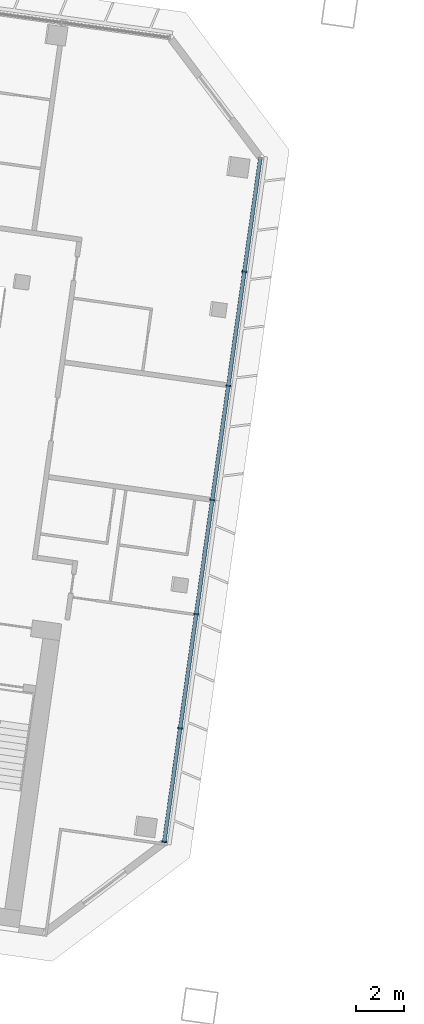
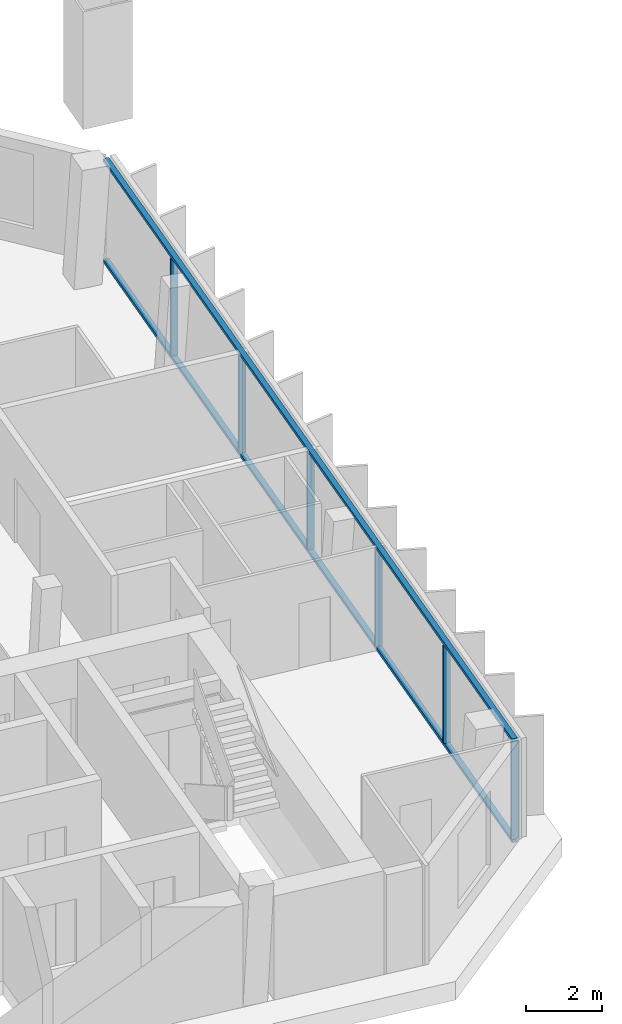
# One storey, part 3 of 23: 8 members, 1 element without a shape of its own.
"""IFC4 building model written with IfcOpenShell, lengths in metres."""

from ifc_helpers import new_model, si_unit, direction, frame, origin, origin_2d, place, context, subcontext, project, spatial, rectangle, extrude, material, material_profile, profile_set, type_object, element, aggregate, save


model = new_model("IFC4")

# Units and contexts
model_context = context("Model", 3, precision=1e-05, world=origin(), true_north=direction((0.0, 1.0)))
body_context = subcontext(model_context, "Body", "Model", "MODEL_VIEW")
ifc_project = project(units=[si_unit("LENGTHUNIT", "METRE"), si_unit("AREAUNIT", "SQUARE_METRE"), si_unit("VOLUMEUNIT", "CUBIC_METRE"), si_unit("PLANEANGLEUNIT", "RADIAN"), si_unit("MASSUNIT", "GRAM", prefix="KILO")], contexts=[model_context])

# Site, building, storey
site_placement = place(None, origin())
site = spatial("IfcSite", under=ifc_project, at=site_placement, CompositionType="ELEMENT")
building_placement = place(site_placement, origin())
building = spatial("IfcBuilding", under=site, at=building_placement, Name="Mirante Cascada Hotel Towers", CompositionType="ELEMENT")
storey_placement = place(building_placement, frame((0.0, 0.0, 180.2)))
storey = spatial("IfcBuildingStorey", under=building, at=storey_placement, Name="L42", CompositionType="ELEMENT", Elevation=180.2)

# Curtain wall, members
ifc_material_1 = material(Name="Aluminium mullion and transom frame with clear laminated glass", Category="aluminium")
curtain_wall_type = type_object("IfcCurtainWallType", Name="End ribbon curtain wall ECW2", PredefinedType="NOTDEFINED", material=ifc_material_1)
curtain_wall_placement = place(storey_placement, origin())
curtain_wall = element("IfcCurtainWall", 1, at=curtain_wall_placement, inside=storey, type_object=curtain_wall_type, Name="Inner end wall T1 L42", PredefinedType="NOTDEFINED")
ifc_material_2 = material(Name="Anodised aluminium extrusion", Category="aluminium")
ifc_material_profile_1 = material_profile(ifc_material_2, rectangle(XDim=0.2, YDim=0.065, at=origin_2d()), Name="ECW2 MULLION 65x200")
ifc_profile_set_1 = profile_set([ifc_material_profile_1], Name="Anodised aluminium extrusion")
member_type_1 = type_object("IfcMemberType", Name="ECW2 mullion 65x200", PredefinedType="MULLION", material=ifc_profile_set_1)
member_1_placement = place(storey_placement, frame((-27.8702, 7.4205, 0.1), z_axis=(0.0, 0.0, 1.0), x_axis=(0.9902681, -0.1391731, 0.0)))
member_1 = element("IfcMember", 2, at=member_1_placement, type_object=member_type_1, Name="ECW2 mullion 2", PredefinedType="MULLION", context=body_context, shape_type="SweptSolid", body=[
    extrude(rectangle(XDim=0.2, YDim=0.065, at=origin_2d()), origin(), (0.0, 0.0, 1.0), 3.15),
])
member_2_placement = place(storey_placement, frame((-28.54, 2.6547, 0.1), z_axis=(0.0, 0.0, 1.0), x_axis=(0.9902681, -0.1391731, 0.0)))
member_2 = element("IfcMember", 3, at=member_2_placement, type_object=member_type_1, Name="ECW2 mullion 3", PredefinedType="MULLION", context=body_context, shape_type="SweptSolid", body=[
    extrude(rectangle(XDim=0.2, YDim=0.065, at=origin_2d()), origin(), (0.0, 0.0, 1.0), 3.15),
])
member_3_placement = place(storey_placement, frame((-29.2097, -2.1111, 0.1), z_axis=(0.0, 0.0, 1.0), x_axis=(0.9902681, -0.1391731, 0.0)))
member_3 = element("IfcMember", 4, at=member_3_placement, type_object=member_type_1, Name="ECW2 mullion 4", PredefinedType="MULLION", context=body_context, shape_type="SweptSolid", body=[
    extrude(rectangle(XDim=0.2, YDim=0.065, at=origin_2d()), origin(), (0.0, 0.0, 1.0), 3.15),
])
member_4_placement = place(storey_placement, frame((-29.8795, -6.8769, 0.1), z_axis=(0.0, 0.0, 1.0), x_axis=(0.9902681, -0.1391731, 0.0)))
member_4 = element("IfcMember", 5, at=member_4_placement, type_object=member_type_1, Name="ECW2 mullion 5", PredefinedType="MULLION", context=body_context, shape_type="SweptSolid", body=[
    extrude(rectangle(XDim=0.2, YDim=0.065, at=origin_2d()), origin(), (0.0, 0.0, 1.0), 3.15),
])
member_5_placement = place(storey_placement, frame((-30.5493, -11.6426, 0.1), z_axis=(0.0, 0.0, 1.0), x_axis=(0.9902681, -0.1391731, 0.0)))
member_5 = element("IfcMember", 6, at=member_5_placement, type_object=member_type_1, Name="ECW2 mullion 6", PredefinedType="MULLION", context=body_context, shape_type="SweptSolid", body=[
    extrude(rectangle(XDim=0.2, YDim=0.065, at=origin_2d()), origin(), (0.0, 0.0, 1.0), 3.15),
])
member_6_placement = place(storey_placement, frame((-31.2146, -16.3762, 0.1), z_axis=(0.0, 0.0, 1.0), x_axis=(0.9902681, -0.1391731, 0.0)))
member_6 = element("IfcMember", 7, at=member_6_placement, type_object=member_type_1, Name="ECW2 mullion 7", PredefinedType="MULLION", context=body_context, shape_type="SweptSolid", body=[
    extrude(rectangle(XDim=0.2, YDim=0.065, at=origin_2d()), origin(), (0.0, 0.0, 1.0), 3.15),
])
ifc_material_3 = material(Name="Anodised aluminium extrusion", Category="aluminium")
ifc_material_profile_2 = material_profile(ifc_material_3, rectangle(XDim=0.16, YDim=0.1, at=origin_2d()), Name="ECW2 TRANSOM 100x160")
ifc_profile_set_2 = profile_set([ifc_material_profile_2], Name="Anodised aluminium extrusion")
member_type_2 = type_object("IfcMemberType", Name="ECW2 transom 100x160", PredefinedType="USERDEFINED", material=ifc_profile_set_2)
member_7_placement = place(storey_placement, frame((-27.2004, 12.1863, 0.05), z_axis=(-0.1391723, -0.9902682, 0.0), x_axis=(0.9902682, -0.1391723, 0.0)))
member_7 = element("IfcMember", 8, at=member_7_placement, type_object=member_type_2, Name="ECW2 sill transom", ObjectType="TRANSOM", PredefinedType="USERDEFINED", context=body_context, shape_type="SweptSolid", body=[
    extrude(rectangle(XDim=0.16, YDim=0.1, at=origin_2d()), origin(), (0.0, 0.0, 1.0), 28.8757),
])
member_8_placement = place(storey_placement, frame((-27.2004, 12.1863, 3.3), z_axis=(-0.1391723, -0.9902682, 0.0), x_axis=(0.9902682, -0.1391723, 0.0)))
member_8 = element("IfcMember", 9, at=member_8_placement, type_object=member_type_2, Name="ECW2 head transom", ObjectType="TRANSOM", PredefinedType="USERDEFINED", context=body_context, shape_type="SweptSolid", body=[
    extrude(rectangle(XDim=0.16, YDim=0.1, at=origin_2d()), origin(), (0.0, 0.0, 1.0), 28.8757),
])
aggregate(curtain_wall, [member_7, member_8, member_1, member_2, member_3, member_4, member_5, member_6])

save(model, "model.ifc")
